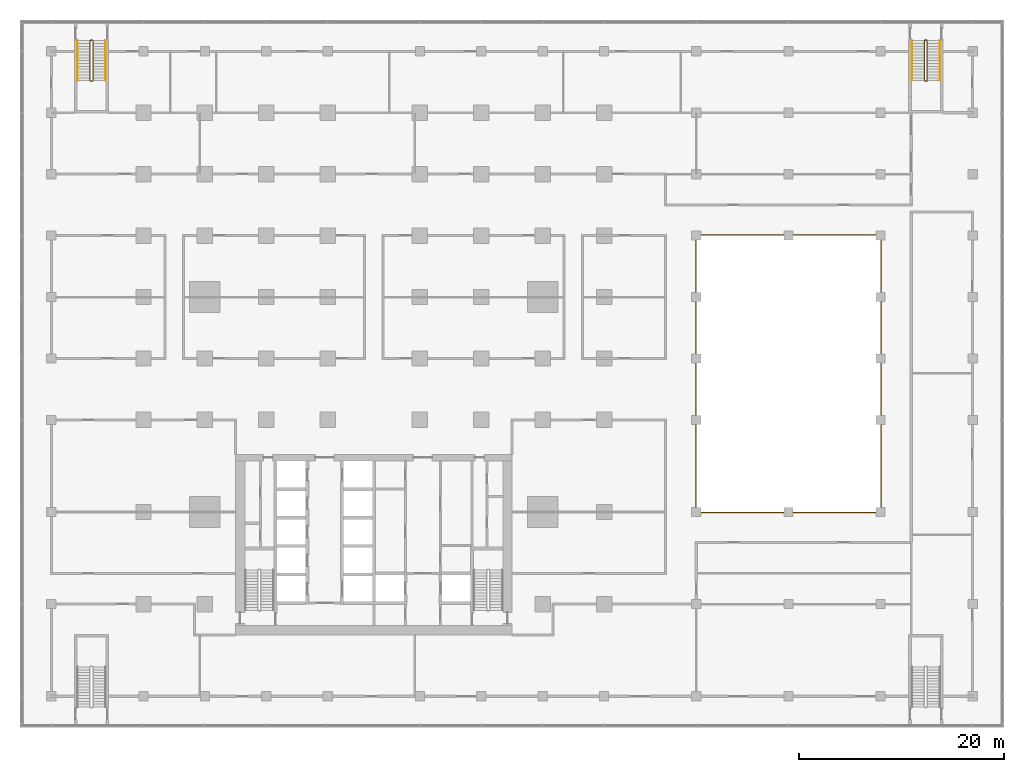
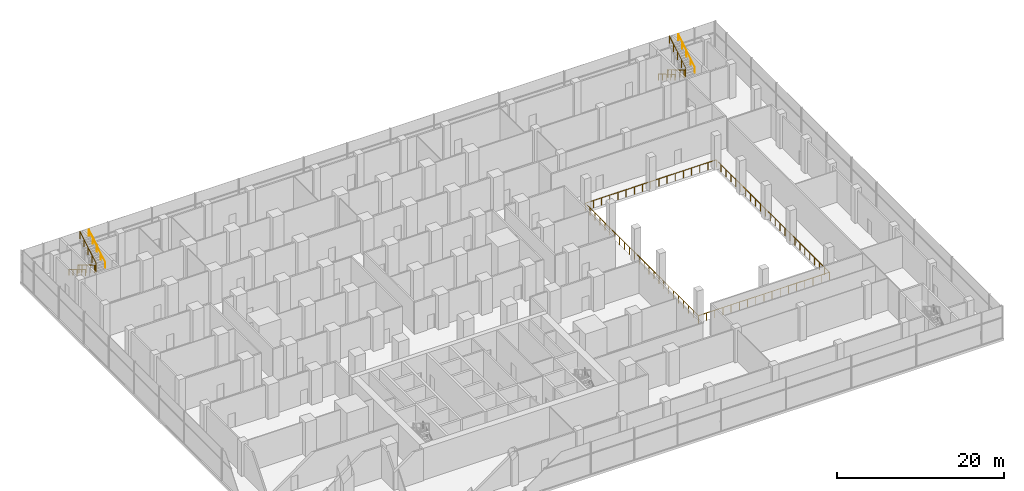
# One storey, part 22 of 22: 7 railings.
"""IFC4 building model written with IfcOpenShell, lengths in metres."""

from ifc_helpers import new_model, si_unit, direction, frame, origin, origin_2d, place, context, subcontext, project, spatial, circle, extrude, material, type_object, element, save


model = new_model("IFC4")

# Units and contexts
model_context = context("Model", 3, precision=1e-05, world=origin(), true_north=direction((0.0, 1.0)))
body_context = subcontext(model_context, "Body", "Model", "MODEL_VIEW")
ifc_project = project(units=[si_unit("LENGTHUNIT", "METRE"), si_unit("AREAUNIT", "SQUARE_METRE"), si_unit("VOLUMEUNIT", "CUBIC_METRE"), si_unit("PLANEANGLEUNIT", "RADIAN"), si_unit("MASSUNIT", "GRAM", prefix="KILO")], contexts=[model_context])

# Site, building, storey
site_placement = place(None, origin())
site = spatial("IfcSite", under=ifc_project, at=site_placement, CompositionType="ELEMENT")
building_placement = place(site_placement, origin())
building = spatial("IfcBuilding", under=site, at=building_placement, Name="Finial Court Residences", CompositionType="ELEMENT")
storey_placement = place(building_placement, frame((0.0, 0.0, 18.5)))
storey = spatial("IfcBuildingStorey", under=building, at=storey_placement, Name="L03", CompositionType="ELEMENT", Elevation=18.5)

# Railings
ifc_material_1 = material(Name="Bronze anodised aluminium", Category="aluminium")
railing_type_1 = type_object("IfcRailingType", Name="Atrium gallery guard 1100", PredefinedType="GUARDRAIL", material=ifc_material_1)
railing_1_placement = place(storey_placement, frame((31.449951171875, -13.550048828125, 0.0)))
element("IfcRailing", 1, at=railing_1_placement, inside=storey, type_object=railing_type_1, Name="L03 atrium gallery guard", PredefinedType="GUARDRAIL", context=body_context, shape_type="SweptSolid", body=[
    extrude(circle(Radius=0.02392578125, at=origin_2d()), frame((0.0, 0.0, 1.076171875), z_axis=(1.0, 0.0, 0.0), x_axis=(0.0, 1.0, 0.0)), (0.0, 0.0, 1.0), 18.10009765625),
    extrude(circle(Radius=0.02392578125, at=origin_2d()), frame((18.10009765625, 0.0, 1.076171875), z_axis=(0.0, 1.0, 0.0), x_axis=(-1.0, 0.0, 0.0)), (0.0, 0.0, 1.0), 27.10009765625),
    extrude(circle(Radius=0.02392578125, at=origin_2d()), frame((18.10009765625, 27.10009765625, 1.076171875), z_axis=(-1.0, 0.0, 0.0), x_axis=(0.0, -1.0, 0.0)), (0.0, 0.0, 1.0), 18.10009765625),
    extrude(circle(Radius=0.02392578125, at=origin_2d()), frame((0.0, 27.10009765625, 1.076171875), z_axis=(0.0, -1.0, 0.0), x_axis=(1.0, 0.0, 0.0)), (0.0, 0.0, 1.0), 27.0400390625),
    extrude(circle(Radius=0.02099609375, at=origin_2d()), origin(), (0.0, 0.0, 1.0), 1.052001953125),
    extrude(circle(Radius=0.02099609375, at=origin_2d()), frame((1.13134765625, 0.0, 0.0)), (0.0, 0.0, 1.0), 1.052001953125),
    extrude(circle(Radius=0.02099609375, at=origin_2d()), frame((2.262451171875, 0.0, 0.0)), (0.0, 0.0, 1.0), 1.052001953125),
    extrude(circle(Radius=0.02099609375, at=origin_2d()), frame((3.393798828125, 0.0, 0.0)), (0.0, 0.0, 1.0), 1.052001953125),
    extrude(circle(Radius=0.02099609375, at=origin_2d()), frame((4.52490234375, 0.0, 0.0)), (0.0, 0.0, 1.0), 1.052001953125),
    extrude(circle(Radius=0.02099609375, at=origin_2d()), frame((5.65625, 0.0, 0.0)), (0.0, 0.0, 1.0), 1.052001953125),
    extrude(circle(Radius=0.02099609375, at=origin_2d()), frame((6.78759765625, 0.0, 0.0)), (0.0, 0.0, 1.0), 1.052001953125),
    extrude(circle(Radius=0.02099609375, at=origin_2d()), frame((7.918701171875, 0.0, 0.0)), (0.0, 0.0, 1.0), 1.052001953125),
    extrude(circle(Radius=0.02099609375, at=origin_2d()), frame((9.050048828125, 0.0, 0.0)), (0.0, 0.0, 1.0), 1.052001953125),
    extrude(circle(Radius=0.02099609375, at=origin_2d()), frame((10.181396484375, 0.0, 0.0)), (0.0, 0.0, 1.0), 1.052001953125),
    extrude(circle(Radius=0.02099609375, at=origin_2d()), frame((11.3125, 0.0, 0.0)), (0.0, 0.0, 1.0), 1.052001953125),
    extrude(circle(Radius=0.02099609375, at=origin_2d()), frame((12.44384765625, 0.0, 0.0)), (0.0, 0.0, 1.0), 1.052001953125),
    extrude(circle(Radius=0.02099609375, at=origin_2d()), frame((13.5751953125, 0.0, 0.0)), (0.0, 0.0, 1.0), 1.052001953125),
    extrude(circle(Radius=0.02099609375, at=origin_2d()), frame((14.706298828125, 0.0, 0.0)), (0.0, 0.0, 1.0), 1.052001953125),
    extrude(circle(Radius=0.02099609375, at=origin_2d()), frame((15.837646484375, 0.0, 0.0)), (0.0, 0.0, 1.0), 1.052001953125),
    extrude(circle(Radius=0.02099609375, at=origin_2d()), frame((16.96875, 0.0, 0.0)), (0.0, 0.0, 1.0), 1.052001953125),
    extrude(circle(Radius=0.02099609375, at=origin_2d()), frame((18.10009765625, 0.0, 0.0)), (0.0, 0.0, 1.0), 1.052001953125),
    extrude(circle(Radius=0.02099609375, at=origin_2d()), frame((18.10009765625, 1.17822265625, 0.0)), (0.0, 0.0, 1.0), 1.052001953125),
    extrude(circle(Radius=0.02099609375, at=origin_2d()), frame((18.10009765625, 2.3564453125, 0.0)), (0.0, 0.0, 1.0), 1.052001953125),
    extrude(circle(Radius=0.02099609375, at=origin_2d()), frame((18.10009765625, 3.534912109375, 0.0)), (0.0, 0.0, 1.0), 1.052001953125),
    extrude(circle(Radius=0.02099609375, at=origin_2d()), frame((18.10009765625, 4.713134765625, 0.0)), (0.0, 0.0, 1.0), 1.052001953125),
    extrude(circle(Radius=0.02099609375, at=origin_2d()), frame((18.10009765625, 5.891357421875, 0.0)), (0.0, 0.0, 1.0), 1.052001953125),
    extrude(circle(Radius=0.02099609375, at=origin_2d()), frame((18.10009765625, 7.069580078125, 0.0)), (0.0, 0.0, 1.0), 1.052001953125),
    extrude(circle(Radius=0.02099609375, at=origin_2d()), frame((18.10009765625, 8.247802734375, 0.0)), (0.0, 0.0, 1.0), 1.052001953125),
    extrude(circle(Radius=0.02099609375, at=origin_2d()), frame((18.10009765625, 9.426025390625, 0.0)), (0.0, 0.0, 1.0), 1.052001953125),
    extrude(circle(Radius=0.02099609375, at=origin_2d()), frame((18.10009765625, 10.6044921875, 0.0)), (0.0, 0.0, 1.0), 1.052001953125),
    extrude(circle(Radius=0.02099609375, at=origin_2d()), frame((18.10009765625, 11.78271484375, 0.0)), (0.0, 0.0, 1.0), 1.052001953125),
    extrude(circle(Radius=0.02099609375, at=origin_2d()), frame((18.10009765625, 12.9609375, 0.0)), (0.0, 0.0, 1.0), 1.052001953125),
    extrude(circle(Radius=0.02099609375, at=origin_2d()), frame((18.10009765625, 14.13916015625, 0.0)), (0.0, 0.0, 1.0), 1.052001953125),
    extrude(circle(Radius=0.02099609375, at=origin_2d()), frame((18.10009765625, 15.3173828125, 0.0)), (0.0, 0.0, 1.0), 1.052001953125),
    extrude(circle(Radius=0.02099609375, at=origin_2d()), frame((18.10009765625, 16.49560546875, 0.0)), (0.0, 0.0, 1.0), 1.052001953125),
    extrude(circle(Radius=0.02099609375, at=origin_2d()), frame((18.10009765625, 17.674072265625, 0.0)), (0.0, 0.0, 1.0), 1.052001953125),
    extrude(circle(Radius=0.02099609375, at=origin_2d()), frame((18.10009765625, 18.852294921875, 0.0)), (0.0, 0.0, 1.0), 1.052001953125),
    extrude(circle(Radius=0.02099609375, at=origin_2d()), frame((18.10009765625, 20.030517578125, 0.0)), (0.0, 0.0, 1.0), 1.052001953125),
    extrude(circle(Radius=0.02099609375, at=origin_2d()), frame((18.10009765625, 21.208740234375, 0.0)), (0.0, 0.0, 1.0), 1.052001953125),
    extrude(circle(Radius=0.02099609375, at=origin_2d()), frame((18.10009765625, 22.386962890625, 0.0)), (0.0, 0.0, 1.0), 1.052001953125),
    extrude(circle(Radius=0.02099609375, at=origin_2d()), frame((18.10009765625, 23.565185546875, 0.0)), (0.0, 0.0, 1.0), 1.052001953125),
    extrude(circle(Radius=0.02099609375, at=origin_2d()), frame((18.10009765625, 24.74365234375, 0.0)), (0.0, 0.0, 1.0), 1.052001953125),
    extrude(circle(Radius=0.02099609375, at=origin_2d()), frame((18.10009765625, 25.921875, 0.0)), (0.0, 0.0, 1.0), 1.052001953125),
    extrude(circle(Radius=0.02099609375, at=origin_2d()), frame((18.10009765625, 27.10009765625, 0.0)), (0.0, 0.0, 1.0), 1.052001953125),
    extrude(circle(Radius=0.02099609375, at=origin_2d()), frame((16.96875, 27.10009765625, 0.0)), (0.0, 0.0, 1.0), 1.052001953125),
    extrude(circle(Radius=0.02099609375, at=origin_2d()), frame((15.837646484375, 27.10009765625, 0.0)), (0.0, 0.0, 1.0), 1.052001953125),
    extrude(circle(Radius=0.02099609375, at=origin_2d()), frame((14.706298828125, 27.10009765625, 0.0)), (0.0, 0.0, 1.0), 1.052001953125),
    extrude(circle(Radius=0.02099609375, at=origin_2d()), frame((13.5751953125, 27.10009765625, 0.0)), (0.0, 0.0, 1.0), 1.052001953125),
    extrude(circle(Radius=0.02099609375, at=origin_2d()), frame((12.44384765625, 27.10009765625, 0.0)), (0.0, 0.0, 1.0), 1.052001953125),
    extrude(circle(Radius=0.02099609375, at=origin_2d()), frame((11.3125, 27.10009765625, 0.0)), (0.0, 0.0, 1.0), 1.052001953125),
    extrude(circle(Radius=0.02099609375, at=origin_2d()), frame((10.181396484375, 27.10009765625, 0.0)), (0.0, 0.0, 1.0), 1.052001953125),
    extrude(circle(Radius=0.02099609375, at=origin_2d()), frame((9.050048828125, 27.10009765625, 0.0)), (0.0, 0.0, 1.0), 1.052001953125),
    extrude(circle(Radius=0.02099609375, at=origin_2d()), frame((7.918701171875, 27.10009765625, 0.0)), (0.0, 0.0, 1.0), 1.052001953125),
    extrude(circle(Radius=0.02099609375, at=origin_2d()), frame((6.78759765625, 27.10009765625, 0.0)), (0.0, 0.0, 1.0), 1.052001953125),
    extrude(circle(Radius=0.02099609375, at=origin_2d()), frame((5.65625, 27.10009765625, 0.0)), (0.0, 0.0, 1.0), 1.052001953125),
    extrude(circle(Radius=0.02099609375, at=origin_2d()), frame((4.52490234375, 27.10009765625, 0.0)), (0.0, 0.0, 1.0), 1.052001953125),
    extrude(circle(Radius=0.02099609375, at=origin_2d()), frame((3.393798828125, 27.10009765625, 0.0)), (0.0, 0.0, 1.0), 1.052001953125),
    extrude(circle(Radius=0.02099609375, at=origin_2d()), frame((2.262451171875, 27.10009765625, 0.0)), (0.0, 0.0, 1.0), 1.052001953125),
    extrude(circle(Radius=0.02099609375, at=origin_2d()), frame((1.13134765625, 27.10009765625, 0.0)), (0.0, 0.0, 1.0), 1.052001953125),
    extrude(circle(Radius=0.02099609375, at=origin_2d()), frame((0.0, 27.10009765625, 0.0)), (0.0, 0.0, 1.0), 1.052001953125),
    extrude(circle(Radius=0.02099609375, at=origin_2d()), frame((0.0, 25.924560546875, 0.0)), (0.0, 0.0, 1.0), 1.052001953125),
    extrude(circle(Radius=0.02099609375, at=origin_2d()), frame((0.0, 24.748779296875, 0.0)), (0.0, 0.0, 1.0), 1.052001953125),
    extrude(circle(Radius=0.02099609375, at=origin_2d()), frame((0.0, 23.5732421875, 0.0)), (0.0, 0.0, 1.0), 1.052001953125),
    extrude(circle(Radius=0.02099609375, at=origin_2d()), frame((0.0, 22.3974609375, 0.0)), (0.0, 0.0, 1.0), 1.052001953125),
    extrude(circle(Radius=0.02099609375, at=origin_2d()), frame((0.0, 21.221923828125, 0.0)), (0.0, 0.0, 1.0), 1.052001953125),
    extrude(circle(Radius=0.02099609375, at=origin_2d()), frame((0.0, 20.046142578125, 0.0)), (0.0, 0.0, 1.0), 1.052001953125),
    extrude(circle(Radius=0.02099609375, at=origin_2d()), frame((0.0, 18.87060546875, 0.0)), (0.0, 0.0, 1.0), 1.052001953125),
    extrude(circle(Radius=0.02099609375, at=origin_2d()), frame((0.0, 17.69482421875, 0.0)), (0.0, 0.0, 1.0), 1.052001953125),
    extrude(circle(Radius=0.02099609375, at=origin_2d()), frame((0.0, 16.519287109375, 0.0)), (0.0, 0.0, 1.0), 1.052001953125),
    extrude(circle(Radius=0.02099609375, at=origin_2d()), frame((0.0, 15.343505859375, 0.0)), (0.0, 0.0, 1.0), 1.052001953125),
    extrude(circle(Radius=0.02099609375, at=origin_2d()), frame((0.0, 14.16796875, 0.0)), (0.0, 0.0, 1.0), 1.052001953125),
    extrude(circle(Radius=0.02099609375, at=origin_2d()), frame((0.0, 12.9921875, 0.0)), (0.0, 0.0, 1.0), 1.052001953125),
    extrude(circle(Radius=0.02099609375, at=origin_2d()), frame((0.0, 11.816650390625, 0.0)), (0.0, 0.0, 1.0), 1.052001953125),
    extrude(circle(Radius=0.02099609375, at=origin_2d()), frame((0.0, 10.640869140625, 0.0)), (0.0, 0.0, 1.0), 1.052001953125),
    extrude(circle(Radius=0.02099609375, at=origin_2d()), frame((0.0, 9.46533203125, 0.0)), (0.0, 0.0, 1.0), 1.052001953125),
    extrude(circle(Radius=0.02099609375, at=origin_2d()), frame((0.0, 8.28955078125, 0.0)), (0.0, 0.0, 1.0), 1.052001953125),
    extrude(circle(Radius=0.02099609375, at=origin_2d()), frame((0.0, 7.114013671875, 0.0)), (0.0, 0.0, 1.0), 1.052001953125),
    extrude(circle(Radius=0.02099609375, at=origin_2d()), frame((0.0, 5.938232421875, 0.0)), (0.0, 0.0, 1.0), 1.052001953125),
    extrude(circle(Radius=0.02099609375, at=origin_2d()), frame((0.0, 4.7626953125, 0.0)), (0.0, 0.0, 1.0), 1.052001953125),
    extrude(circle(Radius=0.02099609375, at=origin_2d()), frame((0.0, 3.5869140625, 0.0)), (0.0, 0.0, 1.0), 1.052001953125),
    extrude(circle(Radius=0.02099609375, at=origin_2d()), frame((0.0, 2.411376953125, 0.0)), (0.0, 0.0, 1.0), 1.052001953125),
    extrude(circle(Radius=0.02099609375, at=origin_2d()), frame((0.0, 1.235595703125, 0.0)), (0.0, 0.0, 1.0), 1.052001953125),
    extrude(circle(Radius=0.02099609375, at=origin_2d()), frame((0.0, 0.06005859375, 0.0)), (0.0, 0.0, 1.0), 1.052001953125),
])
ifc_material_2 = material(Name="Stainless steel railing", Category="steel")
railing_type_2 = type_object("IfcRailingType", Name="Stair guard 1100", PredefinedType="GUARDRAIL", material=ifc_material_2)
railing_2_placement = place(storey_placement, frame((53.85009765625, 32.60009765625, 0.0)))
element("IfcRailing", 2, at=railing_2_placement, inside=storey, type_object=railing_type_2, Name="L03 ST-5 stair guard 1", PredefinedType="GUARDRAIL", context=body_context, shape_type="SweptSolid", body=[
    extrude(circle(Radius=0.02392578125, at=origin_2d()), frame((0.0, 0.0, 1.076171875), z_axis=(1.0, 0.0, 0.0), x_axis=(0.0, 1.0, 0.0)), (0.0, 0.0, 1.0), 0.14990234375),
    extrude(circle(Radius=0.02392578125, at=origin_2d()), frame((0.14990234375, 0.0, 1.076171875), z_axis=(-0.754182335027, -0.188775798145, 0.628945707965), x_axis=(0.242814311512, -0.970072785993, 0.0)), (0.0, 0.0, 1.0), 0.26513671875),
    extrude(circle(Radius=0.02392578125, at=origin_2d()), frame((-0.050048828125, -0.050048828125, 1.24267578125), z_axis=(0.0, -0.859310244771, 0.511454693235), x_axis=(1.0, 0.0, 0.0)), (0.0, 0.0, 1.0), 4.56201171875),
    extrude(circle(Radius=0.02392578125, at=origin_2d()), frame((-0.050048828125, -3.97021484375, 3.576171875), z_axis=(0.708833529934, -0.705375805398, 0.0), x_axis=(0.705375805398, 0.708833529934, 0.0)), (0.0, 0.0, 1.0), 0.070556640625),
    extrude(circle(Radius=0.02392578125, at=origin_2d()), frame((0.0, -4.02001953125, 3.576171875), z_axis=(1.0, 0.0, 0.0), x_axis=(0.0, 1.0, 0.0)), (0.0, 0.0, 1.0), 0.14990234375),
    extrude(circle(Radius=0.02392578125, at=origin_2d()), frame((0.14990234375, -4.02001953125, 3.576171875), z_axis=(0.276389281352, 0.275041040955, 0.920848191041), x_axis=(-0.705375805398, 0.708833529934, 0.0)), (0.0, 0.0, 1.0), 0.18115234375),
    extrude(circle(Radius=0.02392578125, at=origin_2d()), frame((0.199951171875, -3.97021484375, 3.74267578125), z_axis=(0.0, 0.859310244771, 0.511454693235), x_axis=(-1.0, 0.0, 0.0)), (0.0, 0.0, 1.0), 4.56201171875),
    extrude(circle(Radius=0.02099609375, at=origin_2d()), origin(), (0.0, 0.0, 1.0), 1.052001953125),
    extrude(circle(Radius=0.02099609375, at=origin_2d()), frame((0.14990234375, 0.0, 0.0)), (0.0, 0.0, 1.0), 1.052001953125),
    extrude(circle(Radius=0.02099609375, at=origin_2d()), frame((-0.050048828125, -0.050048828125, 0.166748046875)), (0.0, 0.0, 1.0), 1.052001953125),
    extrude(circle(Radius=0.02099609375, at=origin_2d()), frame((-0.050048828125, -1.030029296875, 0.75)), (0.0, 0.0, 1.0), 1.052001953125),
    extrude(circle(Radius=0.02099609375, at=origin_2d()), frame((-0.050048828125, -2.01025390625, 1.33349609375)), (0.0, 0.0, 1.0), 1.052001953125),
    extrude(circle(Radius=0.02099609375, at=origin_2d()), frame((-0.050048828125, -2.990234375, 1.916748046875)), (0.0, 0.0, 1.0), 1.052001953125),
    extrude(circle(Radius=0.02099609375, at=origin_2d()), frame((-0.050048828125, -3.97021484375, 2.5)), (0.0, 0.0, 1.0), 1.052001953125),
    extrude(circle(Radius=0.02099609375, at=origin_2d()), frame((0.0, -4.02001953125, 2.5)), (0.0, 0.0, 1.0), 1.052001953125),
    extrude(circle(Radius=0.02099609375, at=origin_2d()), frame((0.14990234375, -4.02001953125, 2.5)), (0.0, 0.0, 1.0), 1.052001953125),
    extrude(circle(Radius=0.02099609375, at=origin_2d()), frame((0.199951171875, -3.97021484375, 2.666748046875)), (0.0, 0.0, 1.0), 1.052001953125),
    extrude(circle(Radius=0.02099609375, at=origin_2d()), frame((0.199951171875, -2.990234375, 3.25)), (0.0, 0.0, 1.0), 1.052001953125),
    extrude(circle(Radius=0.02099609375, at=origin_2d()), frame((0.199951171875, -2.01025390625, 3.83349609375)), (0.0, 0.0, 1.0), 1.052001953125),
    extrude(circle(Radius=0.02099609375, at=origin_2d()), frame((0.199951171875, -1.030029296875, 4.416748046875)), (0.0, 0.0, 1.0), 1.052001953125),
    extrude(circle(Radius=0.02099609375, at=origin_2d()), frame((0.199951171875, -0.050048828125, 5.0)), (0.0, 0.0, 1.0), 1.052001953125),
])
railing_3_placement = place(storey_placement, frame((-27.64990234375, 32.60009765625, 0.0)))
element("IfcRailing", 3, at=railing_3_placement, inside=storey, type_object=railing_type_2, Name="L03 ST-6 stair guard 1", PredefinedType="GUARDRAIL", context=body_context, shape_type="SweptSolid", body=[
    extrude(circle(Radius=0.02392578125, at=origin_2d()), frame((0.0, 0.0, 1.076171875), z_axis=(1.0, 0.0, 0.0), x_axis=(0.0, 1.0, 0.0)), (0.0, 0.0, 1.0), 0.14990234375),
    extrude(circle(Radius=0.02392578125, at=origin_2d()), frame((0.14990234375, 0.0, 1.076171875), z_axis=(-0.754182335027, -0.188775798145, 0.628945707965), x_axis=(0.242814311512, -0.970072785993, 0.0)), (0.0, 0.0, 1.0), 0.26513671875),
    extrude(circle(Radius=0.02392578125, at=origin_2d()), frame((-0.050048828125, -0.050048828125, 1.24267578125), z_axis=(0.0, -0.859310244771, 0.511454693235), x_axis=(1.0, 0.0, 0.0)), (0.0, 0.0, 1.0), 4.56201171875),
    extrude(circle(Radius=0.02392578125, at=origin_2d()), frame((-0.050048828125, -3.97021484375, 3.576171875), z_axis=(0.708833529934, -0.705375805398, 0.0), x_axis=(0.705375805398, 0.708833529934, 0.0)), (0.0, 0.0, 1.0), 0.070556640625),
    extrude(circle(Radius=0.02392578125, at=origin_2d()), frame((0.0, -4.02001953125, 3.576171875), z_axis=(1.0, 0.0, 0.0), x_axis=(0.0, 1.0, 0.0)), (0.0, 0.0, 1.0), 0.14990234375),
    extrude(circle(Radius=0.02392578125, at=origin_2d()), frame((0.14990234375, -4.02001953125, 3.576171875), z_axis=(0.276389281352, 0.275041040955, 0.920848191041), x_axis=(-0.705375805398, 0.708833529934, 0.0)), (0.0, 0.0, 1.0), 0.18115234375),
    extrude(circle(Radius=0.02392578125, at=origin_2d()), frame((0.199951171875, -3.97021484375, 3.74267578125), z_axis=(0.0, 0.859310244771, 0.511454693235), x_axis=(-1.0, 0.0, 0.0)), (0.0, 0.0, 1.0), 4.56201171875),
    extrude(circle(Radius=0.02099609375, at=origin_2d()), origin(), (0.0, 0.0, 1.0), 1.052001953125),
    extrude(circle(Radius=0.02099609375, at=origin_2d()), frame((0.14990234375, 0.0, 0.0)), (0.0, 0.0, 1.0), 1.052001953125),
    extrude(circle(Radius=0.02099609375, at=origin_2d()), frame((-0.050048828125, -0.050048828125, 0.166748046875)), (0.0, 0.0, 1.0), 1.052001953125),
    extrude(circle(Radius=0.02099609375, at=origin_2d()), frame((-0.050048828125, -1.030029296875, 0.75)), (0.0, 0.0, 1.0), 1.052001953125),
    extrude(circle(Radius=0.02099609375, at=origin_2d()), frame((-0.050048828125, -2.01025390625, 1.33349609375)), (0.0, 0.0, 1.0), 1.052001953125),
    extrude(circle(Radius=0.02099609375, at=origin_2d()), frame((-0.050048828125, -2.990234375, 1.916748046875)), (0.0, 0.0, 1.0), 1.052001953125),
    extrude(circle(Radius=0.02099609375, at=origin_2d()), frame((-0.050048828125, -3.97021484375, 2.5)), (0.0, 0.0, 1.0), 1.052001953125),
    extrude(circle(Radius=0.02099609375, at=origin_2d()), frame((0.0, -4.02001953125, 2.5)), (0.0, 0.0, 1.0), 1.052001953125),
    extrude(circle(Radius=0.02099609375, at=origin_2d()), frame((0.14990234375, -4.02001953125, 2.5)), (0.0, 0.0, 1.0), 1.052001953125),
    extrude(circle(Radius=0.02099609375, at=origin_2d()), frame((0.199951171875, -3.97021484375, 2.666748046875)), (0.0, 0.0, 1.0), 1.052001953125),
    extrude(circle(Radius=0.02099609375, at=origin_2d()), frame((0.199951171875, -2.990234375, 3.25)), (0.0, 0.0, 1.0), 1.052001953125),
    extrude(circle(Radius=0.02099609375, at=origin_2d()), frame((0.199951171875, -2.01025390625, 3.83349609375)), (0.0, 0.0, 1.0), 1.052001953125),
    extrude(circle(Radius=0.02099609375, at=origin_2d()), frame((0.199951171875, -1.030029296875, 4.416748046875)), (0.0, 0.0, 1.0), 1.052001953125),
    extrude(circle(Radius=0.02099609375, at=origin_2d()), frame((0.199951171875, -0.050048828125, 5.0)), (0.0, 0.0, 1.0), 1.052001953125),
])
railing_type_3 = type_object("IfcRailingType", Name="Stair handrail 900", PredefinedType="HANDRAIL", material=ifc_material_2)
railing_4_placement = place(storey_placement, frame((52.550048828125, 32.550048828125, 0.166748046875)))
element("IfcRailing", 4, at=railing_4_placement, inside=storey, type_object=railing_type_3, Name="L03 ST-5 stair handrail 1", PredefinedType="HANDRAIL", context=body_context, shape_type="SweptSolid", body=[
    extrude(circle(Radius=0.02392578125, at=origin_2d()), frame((0.0, 0.0, 0.8759765625), z_axis=(0.0, -0.859310244771, 0.511454693235), x_axis=(1.0, 0.0, 0.0)), (0.0, 0.0, 1.0), 4.56201171875),
    extrude(circle(Radius=0.02099609375, at=origin_2d()), origin(), (0.0, 0.0, 1.0), 0.851806640625),
    extrude(circle(Radius=0.02099609375, at=origin_2d()), frame((0.0, -0.97998046875, 0.583251953125)), (0.0, 0.0, 1.0), 0.851806640625),
    extrude(circle(Radius=0.02099609375, at=origin_2d()), frame((0.0, -1.9599609375, 1.16650390625)), (0.0, 0.0, 1.0), 0.851806640625),
    extrude(circle(Radius=0.02099609375, at=origin_2d()), frame((0.0, -2.940185546875, 1.75)), (0.0, 0.0, 1.0), 0.851806640625),
    extrude(circle(Radius=0.02099609375, at=origin_2d()), frame((0.0, -3.920166015625, 2.333251953125)), (0.0, 0.0, 1.0), 0.851806640625),
])
railing_5_placement = place(storey_placement, frame((55.300048828125, 28.6298828125, 2.666748046875)))
element("IfcRailing", 5, at=railing_5_placement, inside=storey, type_object=railing_type_3, Name="L03 ST-5 stair handrail 2", PredefinedType="HANDRAIL", context=body_context, shape_type="SweptSolid", body=[
    extrude(circle(Radius=0.02392578125, at=origin_2d()), frame((0.0, 0.0, 0.8759765625), z_axis=(0.0, 0.859310244771, 0.511454693235), x_axis=(-1.0, 0.0, 0.0)), (0.0, 0.0, 1.0), 4.56201171875),
    extrude(circle(Radius=0.02099609375, at=origin_2d()), origin(), (0.0, 0.0, 1.0), 0.851806640625),
    extrude(circle(Radius=0.02099609375, at=origin_2d()), frame((0.0, 0.97998046875, 0.583251953125)), (0.0, 0.0, 1.0), 0.851806640625),
    extrude(circle(Radius=0.02099609375, at=origin_2d()), frame((0.0, 1.9599609375, 1.16650390625)), (0.0, 0.0, 1.0), 0.851806640625),
    extrude(circle(Radius=0.02099609375, at=origin_2d()), frame((0.0, 2.940185546875, 1.75)), (0.0, 0.0, 1.0), 0.851806640625),
    extrude(circle(Radius=0.02099609375, at=origin_2d()), frame((0.0, 3.920166015625, 2.333251953125)), (0.0, 0.0, 1.0), 0.851806640625),
])
railing_6_placement = place(storey_placement, frame((-28.949951171875, 32.550048828125, 0.166748046875)))
element("IfcRailing", 6, at=railing_6_placement, inside=storey, type_object=railing_type_3, Name="L03 ST-6 stair handrail 1", PredefinedType="HANDRAIL", context=body_context, shape_type="SweptSolid", body=[
    extrude(circle(Radius=0.02392578125, at=origin_2d()), frame((0.0, 0.0, 0.8759765625), z_axis=(0.0, -0.859310244771, 0.511454693235), x_axis=(1.0, 0.0, 0.0)), (0.0, 0.0, 1.0), 4.56201171875),
    extrude(circle(Radius=0.02099609375, at=origin_2d()), origin(), (0.0, 0.0, 1.0), 0.851806640625),
    extrude(circle(Radius=0.02099609375, at=origin_2d()), frame((0.0, -0.97998046875, 0.583251953125)), (0.0, 0.0, 1.0), 0.851806640625),
    extrude(circle(Radius=0.02099609375, at=origin_2d()), frame((0.0, -1.9599609375, 1.16650390625)), (0.0, 0.0, 1.0), 0.851806640625),
    extrude(circle(Radius=0.02099609375, at=origin_2d()), frame((0.0, -2.940185546875, 1.75)), (0.0, 0.0, 1.0), 0.851806640625),
    extrude(circle(Radius=0.02099609375, at=origin_2d()), frame((0.0, -3.920166015625, 2.333251953125)), (0.0, 0.0, 1.0), 0.851806640625),
])
railing_7_placement = place(storey_placement, frame((-26.199951171875, 28.6298828125, 2.666748046875)))
element("IfcRailing", 7, at=railing_7_placement, inside=storey, type_object=railing_type_3, Name="L03 ST-6 stair handrail 2", PredefinedType="HANDRAIL", context=body_context, shape_type="SweptSolid", body=[
    extrude(circle(Radius=0.02392578125, at=origin_2d()), frame((0.0, 0.0, 0.8759765625), z_axis=(0.0, 0.859310244771, 0.511454693235), x_axis=(-1.0, 0.0, 0.0)), (0.0, 0.0, 1.0), 4.56201171875),
    extrude(circle(Radius=0.02099609375, at=origin_2d()), origin(), (0.0, 0.0, 1.0), 0.851806640625),
    extrude(circle(Radius=0.02099609375, at=origin_2d()), frame((0.0, 0.97998046875, 0.583251953125)), (0.0, 0.0, 1.0), 0.851806640625),
    extrude(circle(Radius=0.02099609375, at=origin_2d()), frame((0.0, 1.9599609375, 1.16650390625)), (0.0, 0.0, 1.0), 0.851806640625),
    extrude(circle(Radius=0.02099609375, at=origin_2d()), frame((0.0, 2.940185546875, 1.75)), (0.0, 0.0, 1.0), 0.851806640625),
    extrude(circle(Radius=0.02099609375, at=origin_2d()), frame((0.0, 3.920166015625, 2.333251953125)), (0.0, 0.0, 1.0), 0.851806640625),
])

save(model, "model.ifc")
